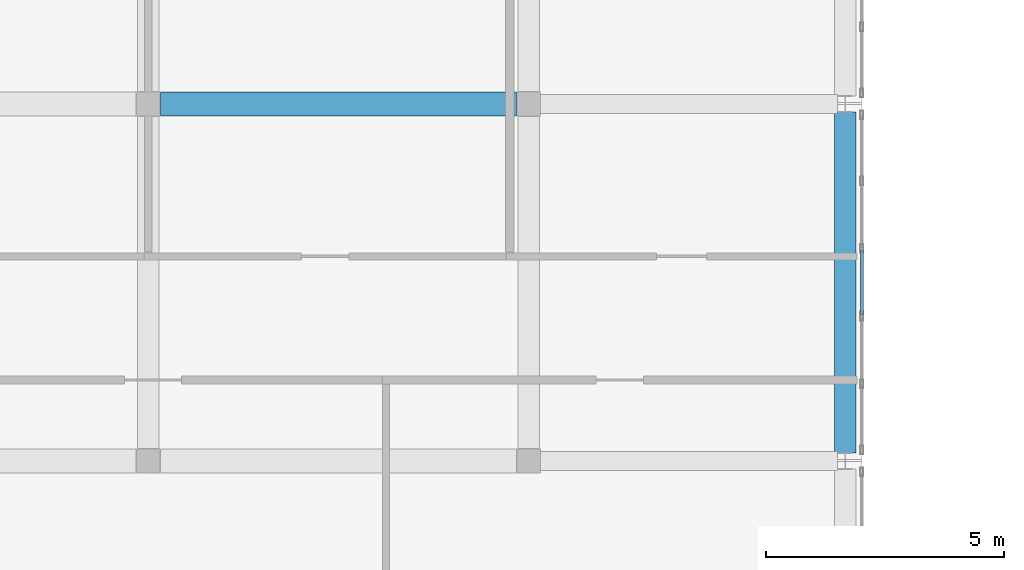
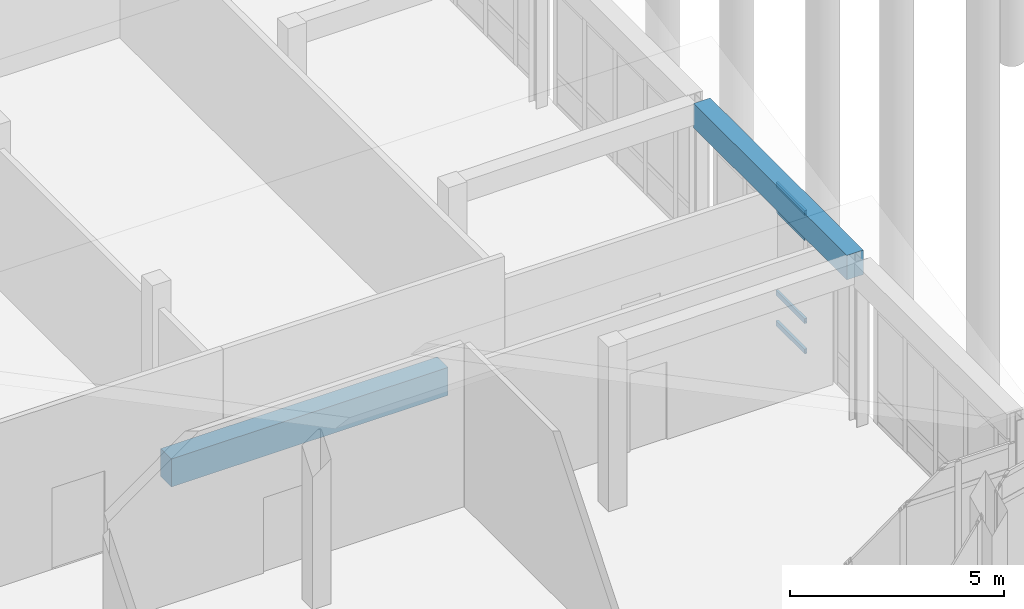
# One storey, part 105 of 173: 4 members, 2 beams, 1 element without a shape of its own.
"""IFC4 building model written with IfcOpenShell, lengths in metres."""

from ifc_helpers import new_model, si_unit, direction, frame, origin, origin_2d, place, context, subcontext, project, spatial, rectangle, hollow_rectangle, extrude, material, layer, layer_set, material_profile, profile_set, type_object, element, aggregate, save


model = new_model("IFC4")

# Units and contexts
model_context = context("Model", 3, precision=1e-05, world=origin(), true_north=direction((0.0, 1.0)))
body_context = subcontext(model_context, "Body", "Model", "MODEL_VIEW")
ifc_project = project(units=[si_unit("LENGTHUNIT", "METRE"), si_unit("AREAUNIT", "SQUARE_METRE"), si_unit("VOLUMEUNIT", "CUBIC_METRE"), si_unit("PLANEANGLEUNIT", "RADIAN"), si_unit("MASSUNIT", "GRAM", prefix="KILO")], contexts=[model_context])

# Site, building, storey
site_placement = place(None, origin())
site = spatial("IfcSite", under=ifc_project, at=site_placement, CompositionType="ELEMENT")
building_placement = place(site_placement, origin())
building = spatial("IfcBuilding", under=site, at=building_placement, Name="Mawjan Specialist Oncology Clinic", CompositionType="ELEMENT")
storey_placement = place(building_placement, origin())
storey = spatial("IfcBuildingStorey", under=building, at=storey_placement, Name="L00", CompositionType="ELEMENT", Elevation=0.0)

# Beams
ifc_material_1 = material(Name="Concrete C40/50", Category="concrete")
ifc_material_profile_1 = material_profile(ifc_material_1, rectangle(XDim=0.449951171875, YDim=0.699951171875, at=origin_2d()), Name="RC BM 450x700", Category="concrete")
ifc_profile_set_1 = profile_set([ifc_material_profile_1], Name="Concrete C40/50")
beam_type_1 = type_object("IfcBeamType", Name="BM-450x700", PredefinedType="BEAM", material=ifc_profile_set_1)
beam_1_placement = place(storey_placement, frame((138.64990234375, 53.465087890625, 4.3828125), z_axis=(0.0, 1.0, 0.0), x_axis=(-1.0, 0.0, 0.0)))
element("IfcBeam", 1, at=beam_1_placement, inside=storey, type_object=beam_type_1, Name="L00 Roof Framing Beam BM-RF-L00-1276", PredefinedType="BEAM", context=body_context, shape_type="SweptSolid", body=[
    extrude(rectangle(XDim=0.449951171875, YDim=0.699951171875, at=origin_2d()), origin(), (0.0, 0.0, 1.0), 7.169921875),
])
ifc_material_2 = material(Name="Concrete C45/55", Category="concrete")
ifc_material_profile_2 = material_profile(ifc_material_2, rectangle(XDim=0.5, YDim=0.800048828125, at=origin_2d()), Name="RC BM 500x800", Category="concrete")
ifc_profile_set_2 = profile_set([ifc_material_profile_2], Name="Concrete C45/55")
beam_type_2 = type_object("IfcBeamType", Name="BM-500x800", PredefinedType="BEAM", material=ifc_profile_set_2)
beam_2_placement = place(storey_placement, frame((124.260009765625, 60.800048828125, -0.820068359375), z_axis=(1.0, 0.0, 0.0), x_axis=(0.0, 1.0, 0.0)))
element("IfcBeam", 2, at=beam_2_placement, inside=storey, type_object=beam_type_2, Name="L00 Collector Beam BM-L00-0004", PredefinedType="BEAM", context=body_context, shape_type="SweptSolid", body=[
    extrude(rectangle(XDim=0.5, YDim=0.800048828125, at=origin_2d()), origin(), (0.0, 0.0, 1.0), 7.47998046875),
])

# Curtain wall, members
ifc_material_3 = material(Name="Unitised spectrally selective aluminium curtain wall", Category="aluminium")
ifc_layer = layer(ifc_material_3, 0.179931640625, Name="Unitised spectrally selective aluminium curtain wall", Category="aluminium")
ifc_layer_set = layer_set([ifc_layer], Name="Unitised spectrally selective aluminium curtain wall")
curtain_wall_type = type_object("IfcCurtainWallType", Name="CW-19", PredefinedType="NOTDEFINED", material=ifc_layer_set)
curtain_wall_placement = place(storey_placement, origin())
curtain_wall = element("IfcCurtainWall", 3, at=curtain_wall_placement, inside=storey, type_object=curtain_wall_type, Name="L00 Unitised Curtain Wall CW-L00-034", PredefinedType="NOTDEFINED")
ifc_material_4 = material(Name="Thermally broken aluminium 6063-T6", Category="aluminium")
ifc_material_profile_3 = material_profile(ifc_material_4, hollow_rectangle(XDim=0.06494140625, YDim=0.139892578125, WallThickness=0.00390625, at=origin_2d()), Name="ALU TRANSOM 140x65x4", Category="aluminium")
ifc_profile_set_3 = profile_set([ifc_material_profile_3], Name="Thermally broken aluminium 6063-T6")
member_type = type_object("IfcMemberType", Name="CW-T140", PredefinedType="USERDEFINED", material=ifc_profile_set_3)
member_1_placement = place(storey_placement, frame((139.0, 57.7275390625, 0.032470703125), z_axis=(0.0, -1.0, 0.0), x_axis=(1.0, 0.0, 0.0)))
member_1 = element("IfcMember", 4, at=member_1_placement, type_object=member_type, Name="CW-19 transom 3.1", ObjectType="TRANSOM", PredefinedType="USERDEFINED", context=body_context, shape_type="SweptSolid", body=[
    extrude(hollow_rectangle(XDim=0.06494140625, YDim=0.139892578125, WallThickness=0.00390625, at=origin_2d()), origin(), (0.0, 0.0, 1.0), 1.35498046875),
])
member_2_placement = place(storey_placement, frame((139.0, 57.7275390625, 0.89990234375), z_axis=(0.0, -1.0, 0.0), x_axis=(1.0, 0.0, 0.0)))
member_2 = element("IfcMember", 5, at=member_2_placement, type_object=member_type, Name="CW-19 transom 3.2", ObjectType="TRANSOM", PredefinedType="USERDEFINED", context=body_context, shape_type="SweptSolid", body=[
    extrude(hollow_rectangle(XDim=0.06494140625, YDim=0.139892578125, WallThickness=0.00390625, at=origin_2d()), origin(), (0.0, 0.0, 1.0), 1.35498046875),
])
member_3_placement = place(storey_placement, frame((139.0, 57.7275390625, 3.267822265625), z_axis=(0.0, -1.0, 0.0), x_axis=(1.0, 0.0, 0.0)))
member_3 = element("IfcMember", 6, at=member_3_placement, type_object=member_type, Name="CW-19 transom 3.3", ObjectType="TRANSOM", PredefinedType="USERDEFINED", context=body_context, shape_type="SweptSolid", body=[
    extrude(hollow_rectangle(XDim=0.06494140625, YDim=0.139892578125, WallThickness=0.00390625, at=origin_2d()), origin(), (0.0, 0.0, 1.0), 1.35498046875),
])
member_4_placement = place(storey_placement, frame((139.0, 57.7275390625, 3.9853515625), z_axis=(0.0, -1.0, 0.0), x_axis=(1.0, 0.0, 0.0)))
member_4 = element("IfcMember", 7, at=member_4_placement, type_object=member_type, Name="CW-19 transom 3.4", ObjectType="TRANSOM", PredefinedType="USERDEFINED", context=body_context, shape_type="SweptSolid", body=[
    extrude(hollow_rectangle(XDim=0.06494140625, YDim=0.139892578125, WallThickness=0.00390625, at=origin_2d()), origin(), (0.0, 0.0, 1.0), 1.35498046875),
])
aggregate(curtain_wall, [member_1, member_2, member_3, member_4])

save(model, "model.ifc")
